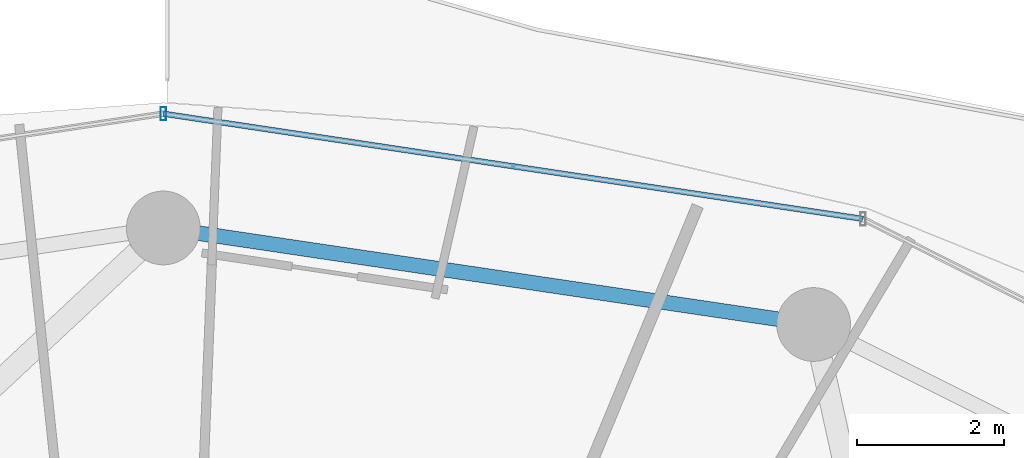
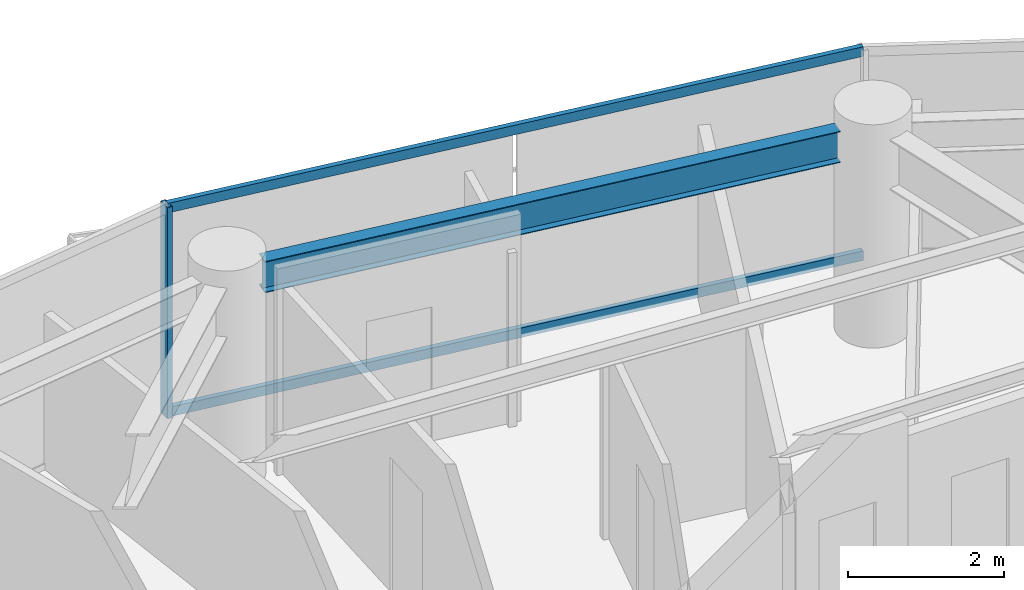
# One storey, part 17 of 28: 3 members, 1 beam, 1 element without a shape of its own.
"""IFC4 building model written with IfcOpenShell, lengths in metres."""

from ifc_helpers import new_model, si_unit, direction, frame, origin, origin_2d, place, context, subcontext, project, spatial, hollow_rectangle, i_section, extrude, material, material_profile, profile_set, type_object, element, aggregate, save


model = new_model("IFC4")

# Units and contexts
model_context = context("Model", 3, precision=1e-05, world=origin(), true_north=direction((0.0, 1.0)))
body_context = subcontext(model_context, "Body", "Model", "MODEL_VIEW")
ifc_project = project(units=[si_unit("LENGTHUNIT", "METRE"), si_unit("AREAUNIT", "SQUARE_METRE"), si_unit("VOLUMEUNIT", "CUBIC_METRE"), si_unit("PLANEANGLEUNIT", "RADIAN"), si_unit("MASSUNIT", "GRAM", prefix="KILO")], contexts=[model_context])

# Site, building, storey
site_placement = place(None, origin())
site = spatial("IfcSite", under=ifc_project, at=site_placement, CompositionType="ELEMENT")
building_placement = place(site_placement, origin())
building = spatial("IfcBuilding", under=site, at=building_placement, Name="Vorneva Point Tower", CompositionType="ELEMENT")
storey_placement = place(building_placement, frame((0.0, 0.0, 139.60009765625)))
storey = spatial("IfcBuildingStorey", under=building, at=storey_placement, Name="L37", CompositionType="ELEMENT", Elevation=139.60009765625)

# Beam
ifc_material_1 = material(Name="Steel S355", Category="steel")
ifc_material_profile_1 = material_profile(ifc_material_1, i_section(OverallWidth=0.199951171875, OverallDepth=0.491943359375, WebThickness=0.0087890625, FlangeThickness=0.011962890625, at=origin_2d()), Name="50B1")
ifc_profile_set_1 = profile_set([ifc_material_profile_1], Name="Steel S355")
beam_type = type_object("IfcBeamType", Name="BM-SPN-50B1", PredefinedType="SPANDREL", material=ifc_profile_set_1)
beam_placement = place(storey_placement, frame((46.34130859375, 41.9619140625, 2.993896484375), z_axis=(-0.989161199046, 0.146833655211, 0.0), x_axis=(-0.146833655211, -0.989161199046, 0.0)))
element("IfcBeam", 1, at=beam_placement, inside=storey, type_object=beam_type, Name="L37 Perimeter Spandrel Ring Beam 04", PredefinedType="SPANDREL", context=body_context, shape_type="SweptSolid", body=[
    extrude(i_section(OverallWidth=0.199951171875, OverallDepth=0.491943359375, WebThickness=0.0087890625, FlangeThickness=0.011962890625, at=origin_2d()), origin(), (0.0, 0.0, 1.0), 7.94775390625),
])

# Curtain wall, members
ifc_material_2 = material(Name="Pale anodised aluminium", Category="aluminium")
curtain_wall_type = type_object("IfcCurtainWallType", Name="CW-RES-SYS", PredefinedType="NOTDEFINED", material=ifc_material_2)
curtain_wall_placement = place(storey_placement, origin())
curtain_wall = element("IfcCurtainWall", 2, at=curtain_wall_placement, inside=storey, type_object=curtain_wall_type, Name="L37 Unitised Curtain Wall CW-L37-R01", PredefinedType="NOTDEFINED")
ifc_material_profile_2 = material_profile(ifc_material_2, hollow_rectangle(XDim=0.074951171875, YDim=0.179931640625, WallThickness=0.00390625, at=origin_2d()), Name="AL-MUL 180x75x4")
ifc_profile_set_2 = profile_set([ifc_material_profile_2], Name="Pale anodised aluminium")
member_type_1 = type_object("IfcMemberType", Name="CW-MUL-180", PredefinedType="MULLION", material=ifc_profile_set_2)
member_1_placement = place(storey_placement, frame((38.0, 44.75, -0.0400390625), z_axis=(0.0, 0.0, 1.0), x_axis=(1.0, 0.0, 0.0)))
member_1 = element("IfcMember", 3, at=member_1_placement, type_object=member_type_1, Name="CW-L37-R01 Mullion 04", PredefinedType="MULLION", context=body_context, shape_type="SweptSolid", body=[
    extrude(hollow_rectangle(XDim=0.074951171875, YDim=0.179931640625, WallThickness=0.00390625, at=origin_2d()), origin(), (0.0, 0.0, 1.0), 3.31005859375),
])
ifc_material_profile_3 = material_profile(ifc_material_2, hollow_rectangle(XDim=0.074951171875, YDim=0.14990234375, WallThickness=0.00390625, at=origin_2d()), Name="AL-TRN 150x75x4")
ifc_profile_set_3 = profile_set([ifc_material_profile_3], Name="Pale anodised aluminium")
member_type_2 = type_object("IfcMemberType", Name="CW-TRN-150", PredefinedType="USERDEFINED", material=ifc_profile_set_3)
member_2_placement = place(storey_placement, frame((47.490478515625, 43.32275390625, 0.02001953125), z_axis=(-0.988880117727, 0.148714870687, 0.0), x_axis=(-0.148714870687, -0.988880117727, 0.0)))
member_2 = element("IfcMember", 4, at=member_2_placement, type_object=member_type_2, Name="CW-L37-R01 Transom 03.1", ObjectType="TRANSOM", PredefinedType="USERDEFINED", context=body_context, shape_type="SweptSolid", body=[
    extrude(hollow_rectangle(XDim=0.074951171875, YDim=0.14990234375, WallThickness=0.00390625, at=origin_2d()), origin(), (0.0, 0.0, 1.0), 9.59716796875),
])
member_3_placement = place(storey_placement, frame((47.490478515625, 43.32275390625, 3.219970703125), z_axis=(-0.988880117727, 0.148714870687, 0.0), x_axis=(-0.148714870687, -0.988880117727, 0.0)))
member_3 = element("IfcMember", 5, at=member_3_placement, type_object=member_type_2, Name="CW-L37-R01 Transom 03.2", ObjectType="TRANSOM", PredefinedType="USERDEFINED", context=body_context, shape_type="SweptSolid", body=[
    extrude(hollow_rectangle(XDim=0.074951171875, YDim=0.14990234375, WallThickness=0.00390625, at=origin_2d()), origin(), (0.0, 0.0, 1.0), 9.59716796875),
])
aggregate(curtain_wall, [member_1, member_2, member_3])

save(model, "model.ifc")
